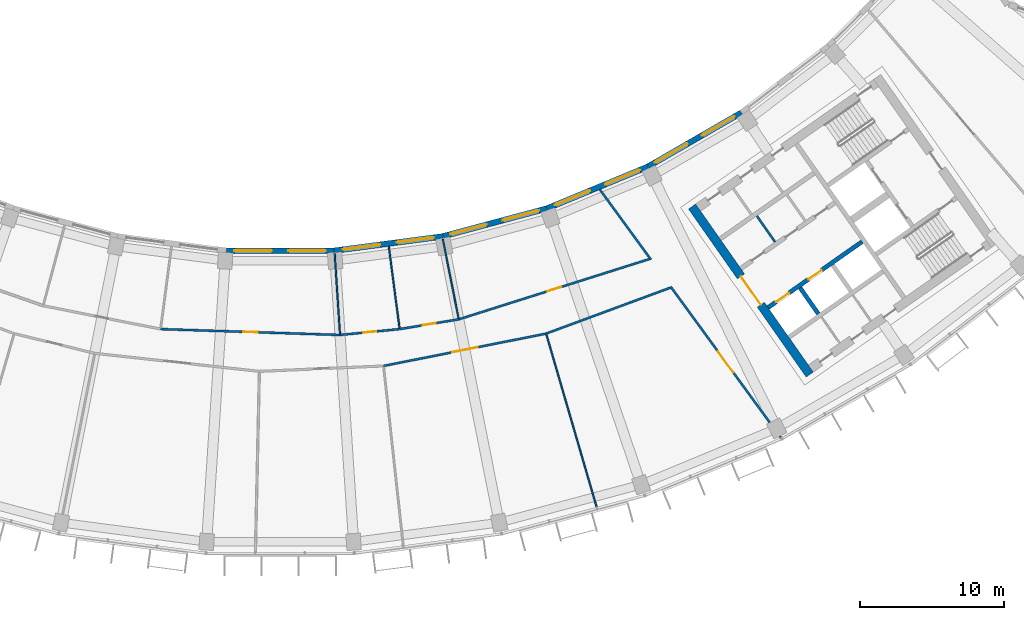
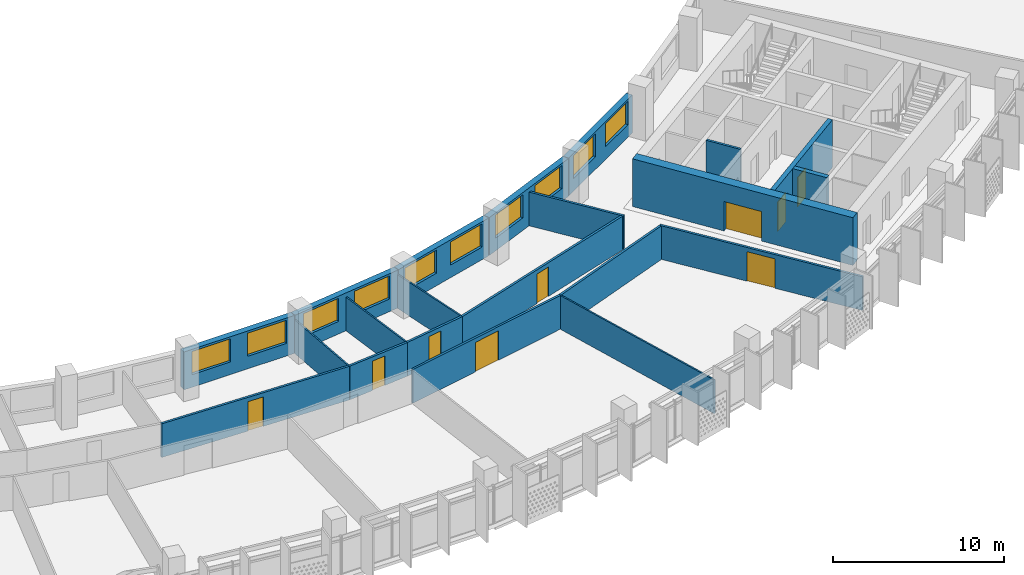
# One storey, part 6 of 28: 21 walls, 10 windows, 9 doors, 19 openings.
"""IFC4 building model written with IfcOpenShell, lengths in metres."""

from ifc_helpers import new_model, si_unit, direction, frame, frame_2d, origin, place, context, subcontext, project, spatial, rectangle, extrude, material, layer, layer_set, type_object, element, fill, save


model = new_model("IFC4")

# Units and contexts
model_context = context("Model", 3, precision=1e-05, world=origin(), true_north=direction((0.0, 1.0)))
body_context = subcontext(model_context, "Body", "Model", "MODEL_VIEW")
ifc_project = project(units=[si_unit("LENGTHUNIT", "METRE"), si_unit("AREAUNIT", "SQUARE_METRE"), si_unit("VOLUMEUNIT", "CUBIC_METRE"), si_unit("PLANEANGLEUNIT", "RADIAN"), si_unit("MASSUNIT", "GRAM", prefix="KILO")], contexts=[model_context])

# Site, building, storey
site_placement = place(None, origin())
site = spatial("IfcSite", under=ifc_project, at=site_placement, CompositionType="ELEMENT")
building_placement = place(site_placement, origin())
building = spatial("IfcBuilding", under=site, at=building_placement, Name="Qamariyya Broadcast Tower", CompositionType="ELEMENT")
storey_placement = place(building_placement, frame((0.0, 0.0, 249.300048828125)))
storey = spatial("IfcBuildingStorey", under=building, at=storey_placement, Name="L60", CompositionType="ELEMENT", Elevation=249.300048828125)

# Wall, opening, door
ifc_material_1 = material(Name="Concrete C60/75", Category="concrete")
ifc_layer_1 = layer(ifc_material_1, 0.60009765625)
ifc_layer_set_1 = layer_set([ifc_layer_1], Name="Core wall 600 mm Concrete C60/75")
wall_type_1 = type_object("IfcWallType", Name="Core wall 600 mm Concrete C60/75", PredefinedType="SHEAR", material=ifc_layer_set_1)
wall_1_placement = place(storey_placement, frame((36.66748046875, -66.005126953125, 0.0), z_axis=(0.0, 0.0, 1.0), x_axis=(-0.573568499524, 0.819157601658, 0.0)))
wall_1 = element("IfcWall", 1, at=wall_1_placement, inside=storey, type_object=wall_type_1, Name="k-E-L60-WA", PredefinedType="SHEAR", context=body_context, shape_type="SweptSolid", body=[
    extrude(rectangle(XDim=14.19970703125, YDim=0.60009765625, at=frame_2d((7.099853515625, 0.0))), origin(), (0.0, 0.0, 1.0), 3.39990234375),
])
opening_1_placement = place(wall_1_placement, frame((5.89990234375, 0.0, 0.0)))
opening_1 = element("IfcOpeningElement", 2, at=opening_1_placement, cuts=wall_1, Name="Opening KD3-E1", PredefinedType="OPENING", context=body_context, shape_type="SweptSolid", body=[
    extrude(rectangle(XDim=2.39990234375, YDim=2.10009765625, at=frame_2d((1.199951171875, 1.050048828125))), frame((0.0, 0.31005859375, 0.0), z_axis=(0.0, -1.0, 0.0), x_axis=(1.0, 0.0, 0.0)), (0.0, 0.0, 1.0), 0.6201171875),
])
ifc_material_2 = material(Name="Steel fire-resisting door leaf", Category="steel")
door_type_1 = type_object("IfcDoorType", Name="Lift lobby door KD3", OperationType="DOUBLE_DOOR_SINGLE_SWING", PredefinedType="DOOR", material=ifc_material_2)
door_1_placement = place(opening_1_placement, origin())
door_1 = element("IfcDoor", 3, at=door_1_placement, inside=storey, type_object=door_type_1, Name="k-E-L60-WA-D1", OperationType="DOUBLE_DOOR_SINGLE_SWING", OverallHeight=2.10009765625, OverallWidth=2.39990234375, PredefinedType="DOOR", context=body_context, shape_type="SweptSolid", body=[
    extrude(rectangle(XDim=2.39990234375, YDim=2.10009765625, at=frame_2d((1.199951171875, 1.050048828125))), frame((0.0, 0.02490234375, 0.0), z_axis=(0.0, -1.0, 0.0), x_axis=(1.0, 0.0, 0.0)), (0.0, 0.0, 1.0), 0.050048828125),
])
fill(opening_1, door_1)

ifc_material_3 = material(Name="Gypsum board partition")
ifc_layer_2 = layer(ifc_material_3, 0.14990234375)
ifc_layer_set_2 = layer_set([ifc_layer_2], Name="Corridor partition 150 EI 60")
wall_type_2 = type_object("IfcWallType", Name="Corridor partition 150 EI 60", PredefinedType="PARTITIONING", material=ifc_layer_set_2)
wall_2_placement = place(storey_placement, frame((-8.275390625, -62.857666015625, 0.0), z_axis=(0.0, 0.0, 1.0), x_axis=(0.999464997707, -0.032706549158, 0.0)))
wall_2 = element("IfcWall", 4, at=wall_2_placement, inside=storey, type_object=wall_type_2, Name="Partition L60-012", PredefinedType="PARTITIONING", context=body_context, shape_type="SweptSolid", body=[
    extrude(rectangle(XDim=12.428466796875, YDim=0.14990234375, at=frame_2d((6.21435546875, 0.0))), origin(), (0.0, 0.0, 1.0), 2.39990234375),
])
opening_2_placement = place(wall_2_placement, frame((5.71435546875, 0.0, 0.0)))
opening_2 = element("IfcOpeningElement", 5, at=opening_2_placement, cuts=wall_2, Name="Opening L60-D09", PredefinedType="OPENING", context=body_context, shape_type="SweptSolid", body=[
    extrude(rectangle(XDim=1.0, YDim=2.10009765625, at=frame_2d((0.5, 1.050048828125))), frame((0.0, 0.0849609375, 0.0), z_axis=(0.0, -1.0, 0.0), x_axis=(1.0, 0.0, 0.0)), (0.0, 0.0, 1.0), 0.169921875),
])
ifc_material_4 = material(Name="Timber fire door leaf", Category="wood")
door_type_2 = type_object("IfcDoorType", Name="Fire door 1000 x 2100 FD60", OperationType="NOTDEFINED", PredefinedType="DOOR", material=ifc_material_4)
door_2_placement = place(opening_2_placement, origin())
door_2 = element("IfcDoor", 6, at=door_2_placement, inside=storey, type_object=door_type_2, Name="Door L60-D09", OperationType="SINGLE_SWING_RIGHT", OverallHeight=2.10009765625, OverallWidth=1.0, PredefinedType="DOOR", context=body_context, shape_type="SweptSolid", body=[
    extrude(rectangle(XDim=1.0, YDim=2.10009765625, at=frame_2d((0.5, 1.050048828125))), frame((0.0, 0.02490234375, 0.0), z_axis=(0.0, -1.0, 0.0), x_axis=(1.0, 0.0, 0.0)), (0.0, 0.0, 1.0), 0.050048828125),
])
fill(opening_2, door_2)

wall_3_placement = place(storey_placement, frame((4.146484375, -63.26416015625, 0.0), z_axis=(0.0, 0.0, 1.0), x_axis=(0.995188667069, 0.097977124567, 0.0)))
wall_3 = element("IfcWall", 7, at=wall_3_placement, inside=storey, type_object=wall_type_2, Name="Partition L60-017", PredefinedType="PARTITIONING", context=body_context, shape_type="SweptSolid", body=[
    extrude(rectangle(XDim=4.14892578125, YDim=0.14990234375, at=frame_2d((2.074462890625, 0.0))), origin(), (0.0, 0.0, 1.0), 2.39990234375),
])
opening_3_placement = place(wall_3_placement, frame((1.62451171875, 0.0, 0.0)))
opening_3 = element("IfcOpeningElement", 8, at=opening_3_placement, cuts=wall_3, Name="Opening L60-D10", PredefinedType="OPENING", context=body_context, shape_type="SweptSolid", body=[
    extrude(rectangle(XDim=0.89990234375, YDim=2.10009765625, at=frame_2d((0.449951171875, 1.050048828125))), frame((0.0, 0.0849609375, 0.0), z_axis=(0.0, -1.0, 0.0), x_axis=(1.0, 0.0, 0.0)), (0.0, 0.0, 1.0), 0.169921875),
])
door_type_3 = type_object("IfcDoorType", Name="Fire door 900 x 2100 FD60", OperationType="NOTDEFINED", PredefinedType="DOOR", material=ifc_material_4)
door_3_placement = place(opening_3_placement, origin())
door_3 = element("IfcDoor", 9, at=door_3_placement, inside=storey, type_object=door_type_3, Name="Door L60-D10", OperationType="SINGLE_SWING_RIGHT", OverallHeight=2.10009765625, OverallWidth=0.89990234375, PredefinedType="DOOR", context=body_context, shape_type="SweptSolid", body=[
    extrude(rectangle(XDim=0.89990234375, YDim=2.10009765625, at=frame_2d((0.449951171875, 1.050048828125))), frame((0.0, 0.02490234375, 0.0), z_axis=(0.0, -1.0, 0.0), x_axis=(1.0, 0.0, 0.0)), (0.0, 0.0, 1.0), 0.050048828125),
])
fill(opening_3, door_3)

wall_4_placement = place(storey_placement, frame((18.41455078125, -63.170654296875, 0.0), z_axis=(0.0, 0.0, 1.0), x_axis=(-0.980782303344, -0.195105288106, 0.0)))
wall_4 = element("IfcWall", 10, at=wall_4_placement, inside=storey, type_object=wall_type_2, Name="Partition L60-018", PredefinedType="PARTITIONING", context=body_context, shape_type="SweptSolid", body=[
    extrude(rectangle(XDim=11.473388671875, YDim=0.14990234375, at=frame_2d((5.73681640625, 0.0))), origin(), (0.0, 0.0, 1.0), 2.39990234375),
])
opening_4_placement = place(wall_4_placement, frame((4.836669921875, 0.0, 0.0)))
opening_4 = element("IfcOpeningElement", 11, at=opening_4_placement, cuts=wall_4, Name="Opening L60-D05", PredefinedType="OPENING", context=body_context, shape_type="SweptSolid", body=[
    extrude(rectangle(XDim=1.800048828125, YDim=2.10009765625, at=frame_2d((0.89990234375, 1.050048828125))), frame((0.0, 0.0849609375, 0.0), z_axis=(0.0, -1.0, 0.0), x_axis=(1.0, 0.0, 0.0)), (0.0, 0.0, 1.0), 0.169921875),
])
door_type_4 = type_object("IfcDoorType", Name="Double fire door 1800 x 2100 FD60", OperationType="NOTDEFINED", PredefinedType="DOOR", material=ifc_material_4)
door_4_placement = place(opening_4_placement, origin())
door_4 = element("IfcDoor", 12, at=door_4_placement, inside=storey, type_object=door_type_4, Name="Door L60-D05", OperationType="DOUBLE_DOOR_SINGLE_SWING", OverallHeight=2.10009765625, OverallWidth=1.800048828125, PredefinedType="DOOR", context=body_context, shape_type="SweptSolid", body=[
    extrude(rectangle(XDim=1.800048828125, YDim=2.10009765625, at=frame_2d((0.89990234375, 1.050048828125))), frame((0.0, 0.02490234375, 0.0), z_axis=(0.0, -1.0, 0.0), x_axis=(1.0, 0.0, 0.0)), (0.0, 0.0, 1.0), 0.050048828125),
])
fill(opening_4, door_4)

wall_5_placement = place(storey_placement, frame((8.275390625, -62.857666015625, 0.0), z_axis=(0.0, 0.0, 1.0), x_axis=(0.986644067936, 0.162891016345, 0.0)))
wall_5 = element("IfcWall", 13, at=wall_5_placement, inside=storey, type_object=wall_type_2, Name="Partition L60-020", PredefinedType="PARTITIONING", context=body_context, shape_type="SweptSolid", body=[
    extrude(rectangle(XDim=4.148681640625, YDim=0.14990234375, at=frame_2d((2.07421875, 0.0))), origin(), (0.0, 0.0, 1.0), 2.39990234375),
])
opening_5_placement = place(wall_5_placement, frame((1.62451171875, 0.0, 0.0)))
opening_5 = element("IfcOpeningElement", 14, at=opening_5_placement, cuts=wall_5, Name="Opening L60-D11", PredefinedType="OPENING", context=body_context, shape_type="SweptSolid", body=[
    extrude(rectangle(XDim=0.89990234375, YDim=2.10009765625, at=frame_2d((0.449951171875, 1.050048828125))), frame((0.0, 0.0849609375, 0.0), z_axis=(0.0, -1.0, 0.0), x_axis=(1.0, 0.0, 0.0)), (0.0, 0.0, 1.0), 0.169921875),
])
door_5_placement = place(opening_5_placement, origin())
door_5 = element("IfcDoor", 15, at=door_5_placement, inside=storey, type_object=door_type_3, Name="Door L60-D11", OperationType="SINGLE_SWING_RIGHT", OverallHeight=2.10009765625, OverallWidth=0.89990234375, PredefinedType="DOOR", context=body_context, shape_type="SweptSolid", body=[
    extrude(rectangle(XDim=0.89990234375, YDim=2.10009765625, at=frame_2d((0.449951171875, 1.050048828125))), frame((0.0, 0.02490234375, 0.0), z_axis=(0.0, -1.0, 0.0), x_axis=(1.0, 0.0, 0.0)), (0.0, 0.0, 1.0), 0.050048828125),
])
fill(opening_5, door_5)

wall_6_placement = place(storey_placement, frame((12.36865234375, -62.181884765625, 0.0), z_axis=(0.0, 0.0, 1.0), x_axis=(0.95346124433, 0.30151559754, 0.0)))
wall_6 = element("IfcWall", 16, at=wall_6_placement, inside=storey, type_object=wall_type_2, Name="Partition L60-023", PredefinedType="PARTITIONING", context=body_context, shape_type="SweptSolid", body=[
    extrude(rectangle(XDim=13.83544921875, YDim=0.14990234375, at=frame_2d((6.917724609375, 0.0))), origin(), (0.0, 0.0, 1.0), 2.39990234375),
])
opening_6_placement = place(wall_6_placement, frame((6.417724609375, 0.0, 0.0)))
opening_6 = element("IfcOpeningElement", 17, at=opening_6_placement, cuts=wall_6, Name="Opening L60-D12", PredefinedType="OPENING", context=body_context, shape_type="SweptSolid", body=[
    extrude(rectangle(XDim=1.0, YDim=2.10009765625, at=frame_2d((0.5, 1.050048828125))), frame((0.0, 0.0849609375, 0.0), z_axis=(0.0, -1.0, 0.0), x_axis=(1.0, 0.0, 0.0)), (0.0, 0.0, 1.0), 0.169921875),
])
door_6_placement = place(opening_6_placement, origin())
door_6 = element("IfcDoor", 18, at=door_6_placement, inside=storey, type_object=door_type_2, Name="Door L60-D12", OperationType="SINGLE_SWING_RIGHT", OverallHeight=2.10009765625, OverallWidth=1.0, PredefinedType="DOOR", context=body_context, shape_type="SweptSolid", body=[
    extrude(rectangle(XDim=1.0, YDim=2.10009765625, at=frame_2d((0.5, 1.050048828125))), frame((0.0, 0.02490234375, 0.0), z_axis=(0.0, -1.0, 0.0), x_axis=(1.0, 0.0, 0.0)), (0.0, 0.0, 1.0), 0.050048828125),
])
fill(opening_6, door_6)

# Walls
wall_7_placement = place(storey_placement, frame((18.41455078125, -63.170654296875, 0.0), z_axis=(0.0, 0.0, 1.0), x_axis=(0.938039704857, 0.34652779414, 0.0)))
element("IfcWall", 19, at=wall_7_placement, inside=storey, type_object=wall_type_2, Name="Partition L60-024", PredefinedType="PARTITIONING", context=body_context, shape_type="SweptSolid", body=[
    extrude(rectangle(XDim=9.160400390625, YDim=0.14990234375, at=frame_2d((4.580078125, 0.0))), origin(), (0.0, 0.0, 1.0), 2.39990234375),
])
wall_8_placement = place(storey_placement, frame((22.135498046875, -53.1943359375, 0.0), z_axis=(0.0, 0.0, 1.0), x_axis=(0.589297062476, -0.807916438846, 0.0)))
element("IfcWall", 20, at=wall_8_placement, inside=storey, type_object=wall_type_2, Name="Partition L60-025", PredefinedType="PARTITIONING", context=body_context, shape_type="SweptSolid", body=[
    extrude(rectangle(XDim=6.008056640625, YDim=0.14990234375, at=frame_2d((3.00390625, 0.0))), origin(), (0.0, 0.0, 1.0), 2.39990234375),
])

# Wall, opening, door
wall_9_placement = place(storey_placement, frame((34.668212890625, -70.37744140625, 0.0), z_axis=(0.0, 0.0, 1.0), x_axis=(-0.589273648147, 0.807933516819, 0.0)))
wall_9 = element("IfcWall", 21, at=wall_9_placement, inside=storey, type_object=wall_type_2, Name="Partition L60-027", PredefinedType="PARTITIONING", context=body_context, shape_type="SweptSolid", body=[
    extrude(rectangle(XDim=12.956298828125, YDim=0.14990234375, at=frame_2d((6.47802734375, 0.0))), origin(), (0.0, 0.0, 1.0), 2.39990234375),
])
opening_7_placement = place(wall_9_placement, frame((5.578125, 0.0, 0.0)))
opening_7 = element("IfcOpeningElement", 22, at=opening_7_placement, cuts=wall_9, Name="Opening L60-D06", PredefinedType="OPENING", context=body_context, shape_type="SweptSolid", body=[
    extrude(rectangle(XDim=1.800048828125, YDim=2.10009765625, at=frame_2d((0.89990234375, 1.050048828125))), frame((0.0, 0.0849609375, 0.0), z_axis=(0.0, -1.0, 0.0), x_axis=(1.0, 0.0, 0.0)), (0.0, 0.0, 1.0), 0.169921875),
])
door_7_placement = place(opening_7_placement, origin())
door_7 = element("IfcDoor", 23, at=door_7_placement, inside=storey, type_object=door_type_4, Name="Door L60-D06", OperationType="DOUBLE_DOOR_SINGLE_SWING", OverallHeight=2.10009765625, OverallWidth=1.800048828125, PredefinedType="DOOR", context=body_context, shape_type="SweptSolid", body=[
    extrude(rectangle(XDim=1.800048828125, YDim=2.10009765625, at=frame_2d((0.89990234375, 1.050048828125))), frame((0.0, 0.02490234375, 0.0), z_axis=(0.0, -1.0, 0.0), x_axis=(1.0, 0.0, 0.0)), (0.0, 0.0, 1.0), 0.050048828125),
])
fill(opening_7, door_7)

# Wall
ifc_material_5 = material(Name="Gypsum board partition on steel studs", Category="steel")
ifc_layer_3 = layer(ifc_material_5, 0.14990234375)
ifc_layer_set_3 = layer_set([ifc_layer_3], Name="Gypsum board partition 150 mm")
wall_type_3 = type_object("IfcWallType", Name="Gypsum board partition 150 mm", PredefinedType="PARTITIONING", material=ifc_layer_set_3)
wall_10_placement = place(storey_placement, frame((34.26611328125, -56.822021484375, 0.0), z_axis=(0.0, 0.0, 1.0), x_axis=(-0.573581496053, 0.819148501424, 0.0)))
element("IfcWall", 24, at=wall_10_placement, inside=storey, type_object=wall_type_3, Name="k-E-L60-NC300", PredefinedType="PARTITIONING", context=body_context, shape_type="SweptSolid", body=[
    extrude(rectangle(XDim=2.2001953125, YDim=0.14990234375, at=frame_2d((1.10009765625, 0.0))), origin(), (0.0, 0.0, 1.0), 3.39990234375),
])

# Wall, openings, doors
ifc_layer_4 = layer(ifc_material_1, 0.300048828125)
ifc_layer_set_4 = layer_set([ifc_layer_4], Name="Lift shaft wall 300 mm Concrete C60/75")
wall_type_4 = type_object("IfcWallType", Name="Lift shaft wall 300 mm Concrete C60/75", PredefinedType="SOLIDWALL", material=ifc_layer_set_4)
wall_11_placement = place(storey_placement, frame((33.787353515625, -61.368896484375, 0.0), z_axis=(0.0, 0.0, 1.0), x_axis=(0.819152564888, 0.573575692858, 0.0)))
wall_11 = element("IfcWall", 25, at=wall_11_placement, inside=storey, type_object=wall_type_4, Name="k-E-L60-SF0", PredefinedType="SOLIDWALL", context=body_context, shape_type="SweptSolid", body=[
    extrude(rectangle(XDim=7.9501953125, YDim=0.300048828125, at=frame_2d((3.97509765625, 0.0))), origin(), (0.0, 0.0, 1.0), 3.39990234375),
])
opening_8_placement = place(wall_11_placement, frame((0.675048828125, 0.0, 0.0)))
opening_8 = element("IfcOpeningElement", 26, at=opening_8_placement, cuts=wall_11, Name="Opening LD", PredefinedType="OPENING", context=body_context, shape_type="SweptSolid", body=[
    extrude(rectangle(XDim=1.10009765625, YDim=2.10009765625, at=frame_2d((0.550048828125, 1.050048828125))), frame((0.0, 0.159912109375, 0.0), z_axis=(0.0, -1.0, 0.0), x_axis=(1.0, 0.0, 0.0)), (0.0, 0.0, 1.0), 0.320068359375),
])
opening_9_placement = place(wall_11_placement, frame((3.425048828125, 0.0, 0.0)))
opening_9 = element("IfcOpeningElement", 27, at=opening_9_placement, cuts=wall_11, Name="Opening LD", PredefinedType="OPENING", context=body_context, shape_type="SweptSolid", body=[
    extrude(rectangle(XDim=1.10009765625, YDim=2.10009765625, at=frame_2d((0.550048828125, 1.050048828125))), frame((0.0, 0.159912109375, 0.0), z_axis=(0.0, -1.0, 0.0), x_axis=(1.0, 0.0, 0.0)), (0.0, 0.0, 1.0), 0.320068359375),
])
door_type_5 = type_object("IfcDoorType", Name="Lift landing door LD", OperationType="DOUBLE_DOOR_SLIDING", PredefinedType="DOOR", material=ifc_material_2)
door_8_placement = place(opening_8_placement, origin())
door_8 = element("IfcDoor", 28, at=door_8_placement, inside=storey, type_object=door_type_5, Name="k-E-L60-SF0-D5", OperationType="DOUBLE_DOOR_SLIDING", OverallHeight=2.10009765625, OverallWidth=1.10009765625, PredefinedType="DOOR", context=body_context, shape_type="SweptSolid", body=[
    extrude(rectangle(XDim=1.10009765625, YDim=2.10009765625, at=frame_2d((0.550048828125, 1.050048828125))), frame((0.0, 0.02490234375, 0.0), z_axis=(0.0, -1.0, 0.0), x_axis=(1.0, 0.0, 0.0)), (0.0, 0.0, 1.0), 0.050048828125),
])
fill(opening_8, door_8)
door_9_placement = place(opening_9_placement, origin())
door_9 = element("IfcDoor", 29, at=door_9_placement, inside=storey, type_object=door_type_5, Name="k-E-L60-SF0-D6", OperationType="DOUBLE_DOOR_SLIDING", OverallHeight=2.10009765625, OverallWidth=1.10009765625, PredefinedType="DOOR", context=body_context, shape_type="SweptSolid", body=[
    extrude(rectangle(XDim=1.10009765625, YDim=2.10009765625, at=frame_2d((0.550048828125, 1.050048828125))), frame((0.0, 0.02490234375, 0.0), z_axis=(0.0, -1.0, 0.0), x_axis=(1.0, 0.0, 0.0)), (0.0, 0.0, 1.0), 0.050048828125),
])
fill(opening_9, door_9)

# Walls
wall_12_placement = place(storey_placement, frame((36.003173828125, -60.000244140625, 0.0), z_axis=(0.0, 0.0, 1.0), x_axis=(0.573581496053, -0.819148501424, 0.0)))
element("IfcWall", 30, at=wall_12_placement, inside=storey, type_object=wall_type_4, Name="k-E-L60-SD0", PredefinedType="SOLIDWALL", context=body_context, shape_type="SweptSolid", body=[
    extrude(rectangle(XDim=2.2001953125, YDim=0.300048828125, at=frame_2d((1.10009765625, 0.0))), origin(), (0.0, 0.0, 1.0), 3.39990234375),
])
ifc_layer_5 = layer(ifc_material_3, 0.10009765625)
ifc_layer_set_5 = layer_set([ifc_layer_5], Name="Partition 100")
wall_type_5 = type_object("IfcWallType", Name="Partition 100", PredefinedType="PARTITIONING", material=ifc_layer_set_5)
wall_13_placement = place(storey_placement, frame((3.777099609375, -57.62646484375, 0.0), z_axis=(0.0, 0.0, 1.0), x_axis=(0.065382488891, -0.997860275864, 0.0)))
element("IfcWall", 31, at=wall_13_placement, inside=storey, type_object=wall_type_5, Name="Partition L60-016", PredefinedType="PARTITIONING", context=body_context, shape_type="SweptSolid", body=[
    extrude(rectangle(XDim=5.574951171875, YDim=0.10009765625, at=frame_2d((2.78759765625, 0.0))), origin(), (0.0, 0.0, 1.0), 2.39990234375),
])
wall_14_placement = place(storey_placement, frame((7.52197265625, -57.13427734375, 0.0), z_axis=(0.0, 0.0, 1.0), x_axis=(0.130518800749, -0.991445834451, 0.0)))
element("IfcWall", 32, at=wall_14_placement, inside=storey, type_object=wall_type_5, Name="Partition L60-019", PredefinedType="PARTITIONING", context=body_context, shape_type="SweptSolid", body=[
    extrude(rectangle(XDim=5.69775390625, YDim=0.10009765625, at=frame_2d((2.848876953125, 0.0))), origin(), (0.0, 0.0, 1.0), 2.39990234375),
])
wall_15_placement = place(storey_placement, frame((11.266357421875, -56.640380859375, 0.0), z_axis=(0.0, 0.0, 1.0), x_axis=(0.195097004053, -0.98078395124, 0.0)))
element("IfcWall", 33, at=wall_15_placement, inside=storey, type_object=wall_type_5, Name="Partition L60-022", PredefinedType="PARTITIONING", context=body_context, shape_type="SweptSolid", body=[
    extrude(rectangle(XDim=5.574951171875, YDim=0.10009765625, at=frame_2d((2.78759765625, 0.0))), origin(), (0.0, 0.0, 1.0), 2.39990234375),
])
wall_16_placement = place(storey_placement, frame((21.912841796875, -75.171630859375, 0.0), z_axis=(0.0, 0.0, 1.0), x_axis=(-0.27985286912, 0.96004290094, 0.0)))
element("IfcWall", 34, at=wall_16_placement, inside=storey, type_object=wall_type_5, Name="Partition L60-026", PredefinedType="PARTITIONING", context=body_context, shape_type="SweptSolid", body=[
    extrude(rectangle(XDim=12.425537109375, YDim=0.10009765625, at=frame_2d((6.212890625, 0.0))), origin(), (0.0, 0.0, 1.0), 2.39990234375),
])

# Wall, openings, windows
ifc_material_6 = material(Name="Terracotta", Category="masonry")
ifc_layer_6 = layer(ifc_material_6, 0.39990234375)
ifc_layer_set_6 = layer_set([ifc_layer_6], Name="Terracotta clad wall 400")
wall_type_6 = type_object("IfcWallType", Name="Terracotta clad wall 400", PredefinedType="SOLIDWALL", material=ifc_layer_set_6)
wall_17_placement = place(storey_placement, frame((18.449951171875, -54.50927734375, 0.0), z_axis=(0.0, 0.0, 1.0), x_axis=(-0.965924866111, -0.25882262851, 0.0)))
wall_17 = element("IfcWall", 35, at=wall_17_placement, inside=storey, type_object=wall_type_6, Name="e-wl-L60-in100", PredefinedType="SOLIDWALL", context=body_context, shape_type="SweptSolid", body=[
    extrude(rectangle(XDim=7.426513671875, YDim=0.39990234375, at=frame_2d((3.71337890625, 0.0))), origin(), (0.0, 0.0, 1.0), 2.699951171875),
])
opening_10_placement = place(wall_17_placement, frame((4.28857421875, 0.0, 0.89990234375)))
opening_10 = element("IfcOpeningElement", 36, at=opening_10_placement, cuts=wall_17, Name="Opening W1", PredefinedType="OPENING", context=body_context, shape_type="SweptSolid", body=[
    extrude(rectangle(XDim=2.60009765625, YDim=1.64990234375, at=frame_2d((1.300048828125, 0.824951171875))), frame((0.0, 0.2099609375, 0.0), z_axis=(0.0, -1.0, 0.0), x_axis=(1.0, 0.0, 0.0)), (0.0, 0.0, 1.0), 0.419921875),
])
opening_11_placement = place(wall_17_placement, frame((0.537841796875, 0.0, 0.89990234375)))
opening_11 = element("IfcOpeningElement", 37, at=opening_11_placement, cuts=wall_17, Name="Opening W1", PredefinedType="OPENING", context=body_context, shape_type="SweptSolid", body=[
    extrude(rectangle(XDim=2.60009765625, YDim=1.64990234375, at=frame_2d((1.300048828125, 0.824951171875))), frame((0.0, 0.2099609375, 0.0), z_axis=(0.0, -1.0, 0.0), x_axis=(1.0, 0.0, 0.0)), (0.0, 0.0, 1.0), 0.419921875),
])
ifc_material_7 = material(Name="Clear low-e double glazed unit in aluminium frame", Category="aluminium")
window_type = type_object("IfcWindowType", Name="Ribbon window 2600 x 1650", PartitioningType="SINGLE_PANEL", PredefinedType="WINDOW", material=ifc_material_7)
window_1_placement = place(opening_10_placement, origin())
window_1 = element("IfcWindow", 38, at=window_1_placement, inside=storey, type_object=window_type, Name="e-w-L60-in10-0", OverallHeight=1.64990234375, OverallWidth=2.60009765625, PartitioningType="SINGLE_PANEL", PredefinedType="WINDOW", context=body_context, shape_type="SweptSolid", body=[
    extrude(rectangle(XDim=2.60009765625, YDim=1.64990234375, at=frame_2d((1.300048828125, 0.824951171875))), frame((0.0, 0.030029296875, 0.0), z_axis=(0.0, -1.0, 0.0), x_axis=(1.0, 0.0, 0.0)), (0.0, 0.0, 1.0), 0.06005859375),
])
fill(opening_10, window_1)
window_2_placement = place(opening_11_placement, origin())
window_2 = element("IfcWindow", 39, at=window_2_placement, inside=storey, type_object=window_type, Name="e-w-L60-in10-1", OverallHeight=1.64990234375, OverallWidth=2.60009765625, PartitioningType="SINGLE_PANEL", PredefinedType="WINDOW", context=body_context, shape_type="SweptSolid", body=[
    extrude(rectangle(XDim=2.60009765625, YDim=1.64990234375, at=frame_2d((1.300048828125, 0.824951171875))), frame((0.0, 0.030029296875, 0.0), z_axis=(0.0, -1.0, 0.0), x_axis=(1.0, 0.0, 0.0)), (0.0, 0.0, 1.0), 0.06005859375),
])
fill(opening_11, window_2)

wall_18_placement = place(storey_placement, frame((25.47705078125, -51.60595703125, 0.0), z_axis=(0.0, 0.0, 1.0), x_axis=(-0.923884115122, -0.382672368777, 0.0)))
wall_18 = element("IfcWall", 40, at=wall_18_placement, inside=storey, type_object=wall_type_6, Name="e-wl-L60-in110", PredefinedType="SOLIDWALL", context=body_context, shape_type="SweptSolid", body=[
    extrude(rectangle(XDim=7.578125, YDim=0.39990234375, at=frame_2d((3.7890625, 0.0))), origin(), (0.0, 0.0, 1.0), 2.699951171875),
])
opening_12_placement = place(wall_18_placement, frame((4.364501953125, 0.0, 0.89990234375)))
opening_12 = element("IfcOpeningElement", 41, at=opening_12_placement, cuts=wall_18, Name="Opening W1", PredefinedType="OPENING", context=body_context, shape_type="SweptSolid", body=[
    extrude(rectangle(XDim=2.60009765625, YDim=1.64990234375, at=frame_2d((1.300048828125, 0.824951171875))), frame((0.0, 0.2099609375, 0.0), z_axis=(0.0, -1.0, 0.0), x_axis=(1.0, 0.0, 0.0)), (0.0, 0.0, 1.0), 0.419921875),
])
opening_13_placement = place(wall_18_placement, frame((0.613525390625, 0.0, 0.89990234375)))
opening_13 = element("IfcOpeningElement", 42, at=opening_13_placement, cuts=wall_18, Name="Opening W1", PredefinedType="OPENING", context=body_context, shape_type="SweptSolid", body=[
    extrude(rectangle(XDim=2.60009765625, YDim=1.64990234375, at=frame_2d((1.300048828125, 0.824951171875))), frame((0.0, 0.2099609375, 0.0), z_axis=(0.0, -1.0, 0.0), x_axis=(1.0, 0.0, 0.0)), (0.0, 0.0, 1.0), 0.419921875),
])
window_3_placement = place(opening_12_placement, origin())
window_3 = element("IfcWindow", 43, at=window_3_placement, inside=storey, type_object=window_type, Name="e-w-L60-in11-0", OverallHeight=1.64990234375, OverallWidth=2.60009765625, PartitioningType="SINGLE_PANEL", PredefinedType="WINDOW", context=body_context, shape_type="SweptSolid", body=[
    extrude(rectangle(XDim=2.60009765625, YDim=1.64990234375, at=frame_2d((1.300048828125, 0.824951171875))), frame((0.0, 0.030029296875, 0.0), z_axis=(0.0, -1.0, 0.0), x_axis=(1.0, 0.0, 0.0)), (0.0, 0.0, 1.0), 0.06005859375),
])
fill(opening_12, window_3)
window_4_placement = place(opening_13_placement, origin())
window_4 = element("IfcWindow", 44, at=window_4_placement, inside=storey, type_object=window_type, Name="e-w-L60-in11-1", OverallHeight=1.64990234375, OverallWidth=2.60009765625, PartitioningType="SINGLE_PANEL", PredefinedType="WINDOW", context=body_context, shape_type="SweptSolid", body=[
    extrude(rectangle(XDim=2.60009765625, YDim=1.64990234375, at=frame_2d((1.300048828125, 0.824951171875))), frame((0.0, 0.030029296875, 0.0), z_axis=(0.0, -1.0, 0.0), x_axis=(1.0, 0.0, 0.0)), (0.0, 0.0, 1.0), 0.06005859375),
])
fill(opening_13, window_4)

wall_19_placement = place(storey_placement, frame((31.929443359375, -47.876708984375, 0.0), z_axis=(0.0, 0.0, 1.0), x_axis=(-0.866021353871, -0.500007014591, 0.0)))
wall_19 = element("IfcWall", 45, at=wall_19_placement, inside=storey, type_object=wall_type_6, Name="e-wl-L60-in120", PredefinedType="SOLIDWALL", context=body_context, shape_type="SweptSolid", body=[
    extrude(rectangle(XDim=7.4267578125, YDim=0.39990234375, at=frame_2d((3.71337890625, 0.0))), origin(), (0.0, 0.0, 1.0), 2.699951171875),
])
opening_14_placement = place(wall_19_placement, frame((4.28857421875, 0.0, 0.89990234375)))
opening_14 = element("IfcOpeningElement", 46, at=opening_14_placement, cuts=wall_19, Name="Opening W1", PredefinedType="OPENING", context=body_context, shape_type="SweptSolid", body=[
    extrude(rectangle(XDim=2.60009765625, YDim=1.64990234375, at=frame_2d((1.300048828125, 0.824951171875))), frame((0.0, 0.2099609375, 0.0), z_axis=(0.0, -1.0, 0.0), x_axis=(1.0, 0.0, 0.0)), (0.0, 0.0, 1.0), 0.419921875),
])
opening_15_placement = place(wall_19_placement, frame((0.537841796875, 0.0, 0.89990234375)))
opening_15 = element("IfcOpeningElement", 47, at=opening_15_placement, cuts=wall_19, Name="Opening W1", PredefinedType="OPENING", context=body_context, shape_type="SweptSolid", body=[
    extrude(rectangle(XDim=2.60009765625, YDim=1.64990234375, at=frame_2d((1.300048828125, 0.824951171875))), frame((0.0, 0.2099609375, 0.0), z_axis=(0.0, -1.0, 0.0), x_axis=(1.0, 0.0, 0.0)), (0.0, 0.0, 1.0), 0.419921875),
])
window_5_placement = place(opening_14_placement, origin())
window_5 = element("IfcWindow", 48, at=window_5_placement, inside=storey, type_object=window_type, Name="e-w-L60-in12-0", OverallHeight=1.64990234375, OverallWidth=2.60009765625, PartitioningType="SINGLE_PANEL", PredefinedType="WINDOW", context=body_context, shape_type="SweptSolid", body=[
    extrude(rectangle(XDim=2.60009765625, YDim=1.64990234375, at=frame_2d((1.300048828125, 0.824951171875))), frame((0.0, 0.030029296875, 0.0), z_axis=(0.0, -1.0, 0.0), x_axis=(1.0, 0.0, 0.0)), (0.0, 0.0, 1.0), 0.06005859375),
])
fill(opening_14, window_5)
window_6_placement = place(opening_15_placement, origin())
window_6 = element("IfcWindow", 49, at=window_6_placement, inside=storey, type_object=window_type, Name="e-w-L60-in12-1", OverallHeight=1.64990234375, OverallWidth=2.60009765625, PartitioningType="SINGLE_PANEL", PredefinedType="WINDOW", context=body_context, shape_type="SweptSolid", body=[
    extrude(rectangle(XDim=2.60009765625, YDim=1.64990234375, at=frame_2d((1.300048828125, 0.824951171875))), frame((0.0, 0.030029296875, 0.0), z_axis=(0.0, -1.0, 0.0), x_axis=(1.0, 0.0, 0.0)), (0.0, 0.0, 1.0), 0.06005859375),
])
fill(opening_15, window_6)

wall_20_placement = place(storey_placement, frame((3.713134765625, -57.42724609375, 0.0), z_axis=(0.0, 0.0, 1.0), x_axis=(-1.0, 0.0, 0.0)))
wall_20 = element("IfcWall", 50, at=wall_20_placement, inside=storey, type_object=wall_type_6, Name="e-wl-L60-in80", PredefinedType="SOLIDWALL", context=body_context, shape_type="SweptSolid", body=[
    extrude(rectangle(XDim=7.42626953125, YDim=0.39990234375, at=frame_2d((3.713134765625, 0.0))), origin(), (0.0, 0.0, 1.0), 2.699951171875),
])
opening_16_placement = place(wall_20_placement, frame((4.28857421875, 0.0, 0.89990234375)))
opening_16 = element("IfcOpeningElement", 51, at=opening_16_placement, cuts=wall_20, Name="Opening W1", PredefinedType="OPENING", context=body_context, shape_type="SweptSolid", body=[
    extrude(rectangle(XDim=2.60009765625, YDim=1.64990234375, at=frame_2d((1.300048828125, 0.824951171875))), frame((0.0, 0.2099609375, 0.0), z_axis=(0.0, -1.0, 0.0), x_axis=(1.0, 0.0, 0.0)), (0.0, 0.0, 1.0), 0.419921875),
])
opening_17_placement = place(wall_20_placement, frame((0.537841796875, 0.0, 0.89990234375)))
opening_17 = element("IfcOpeningElement", 52, at=opening_17_placement, cuts=wall_20, Name="Opening W1", PredefinedType="OPENING", context=body_context, shape_type="SweptSolid", body=[
    extrude(rectangle(XDim=2.60009765625, YDim=1.64990234375, at=frame_2d((1.300048828125, 0.824951171875))), frame((0.0, 0.2099609375, 0.0), z_axis=(0.0, -1.0, 0.0), x_axis=(1.0, 0.0, 0.0)), (0.0, 0.0, 1.0), 0.419921875),
])
window_7_placement = place(opening_16_placement, origin())
window_7 = element("IfcWindow", 53, at=window_7_placement, inside=storey, type_object=window_type, Name="e-w-L60-in08-0", OverallHeight=1.64990234375, OverallWidth=2.60009765625, PartitioningType="SINGLE_PANEL", PredefinedType="WINDOW", context=body_context, shape_type="SweptSolid", body=[
    extrude(rectangle(XDim=2.60009765625, YDim=1.64990234375, at=frame_2d((1.300048828125, 0.824951171875))), frame((0.0, 0.030029296875, 0.0), z_axis=(0.0, -1.0, 0.0), x_axis=(1.0, 0.0, 0.0)), (0.0, 0.0, 1.0), 0.06005859375),
])
fill(opening_16, window_7)
window_8_placement = place(opening_17_placement, origin())
window_8 = element("IfcWindow", 54, at=window_8_placement, inside=storey, type_object=window_type, Name="e-w-L60-in08-1", OverallHeight=1.64990234375, OverallWidth=2.60009765625, PartitioningType="SINGLE_PANEL", PredefinedType="WINDOW", context=body_context, shape_type="SweptSolid", body=[
    extrude(rectangle(XDim=2.60009765625, YDim=1.64990234375, at=frame_2d((1.300048828125, 0.824951171875))), frame((0.0, 0.030029296875, 0.0), z_axis=(0.0, -1.0, 0.0), x_axis=(1.0, 0.0, 0.0)), (0.0, 0.0, 1.0), 0.06005859375),
])
fill(opening_17, window_8)

wall_21_placement = place(storey_placement, frame((11.252197265625, -56.44140625, 0.0), z_axis=(0.0, 0.0, 1.0), x_axis=(-0.991446288508, -0.130515351599, 0.0)))
wall_21 = element("IfcWall", 55, at=wall_21_placement, inside=storey, type_object=wall_type_6, Name="e-wl-L60-in90", PredefinedType="SOLIDWALL", context=body_context, shape_type="SweptSolid", body=[
    extrude(rectangle(XDim=7.57763671875, YDim=0.39990234375, at=frame_2d((3.788818359375, 0.0))), origin(), (0.0, 0.0, 1.0), 2.699951171875),
])
opening_18_placement = place(wall_21_placement, frame((4.364501953125, 0.0, 0.89990234375)))
opening_18 = element("IfcOpeningElement", 56, at=opening_18_placement, cuts=wall_21, Name="Opening W1", PredefinedType="OPENING", context=body_context, shape_type="SweptSolid", body=[
    extrude(rectangle(XDim=2.60009765625, YDim=1.64990234375, at=frame_2d((1.300048828125, 0.824951171875))), frame((0.0, 0.2099609375, 0.0), z_axis=(0.0, -1.0, 0.0), x_axis=(1.0, 0.0, 0.0)), (0.0, 0.0, 1.0), 0.419921875),
])
opening_19_placement = place(wall_21_placement, frame((0.613525390625, 0.0, 0.89990234375)))
opening_19 = element("IfcOpeningElement", 57, at=opening_19_placement, cuts=wall_21, Name="Opening W1", PredefinedType="OPENING", context=body_context, shape_type="SweptSolid", body=[
    extrude(rectangle(XDim=2.60009765625, YDim=1.64990234375, at=frame_2d((1.300048828125, 0.824951171875))), frame((0.0, 0.2099609375, 0.0), z_axis=(0.0, -1.0, 0.0), x_axis=(1.0, 0.0, 0.0)), (0.0, 0.0, 1.0), 0.419921875),
])
window_9_placement = place(opening_18_placement, origin())
window_9 = element("IfcWindow", 58, at=window_9_placement, inside=storey, type_object=window_type, Name="e-w-L60-in09-0", OverallHeight=1.64990234375, OverallWidth=2.60009765625, PartitioningType="SINGLE_PANEL", PredefinedType="WINDOW", context=body_context, shape_type="SweptSolid", body=[
    extrude(rectangle(XDim=2.60009765625, YDim=1.64990234375, at=frame_2d((1.300048828125, 0.824951171875))), frame((0.0, 0.030029296875, 0.0), z_axis=(0.0, -1.0, 0.0), x_axis=(1.0, 0.0, 0.0)), (0.0, 0.0, 1.0), 0.06005859375),
])
fill(opening_18, window_9)
window_10_placement = place(opening_19_placement, origin())
window_10 = element("IfcWindow", 59, at=window_10_placement, inside=storey, type_object=window_type, Name="e-w-L60-in09-1", OverallHeight=1.64990234375, OverallWidth=2.60009765625, PartitioningType="SINGLE_PANEL", PredefinedType="WINDOW", context=body_context, shape_type="SweptSolid", body=[
    extrude(rectangle(XDim=2.60009765625, YDim=1.64990234375, at=frame_2d((1.300048828125, 0.824951171875))), frame((0.0, 0.030029296875, 0.0), z_axis=(0.0, -1.0, 0.0), x_axis=(1.0, 0.0, 0.0)), (0.0, 0.0, 1.0), 0.06005859375),
])
fill(opening_19, window_10)

save(model, "model.ifc")
